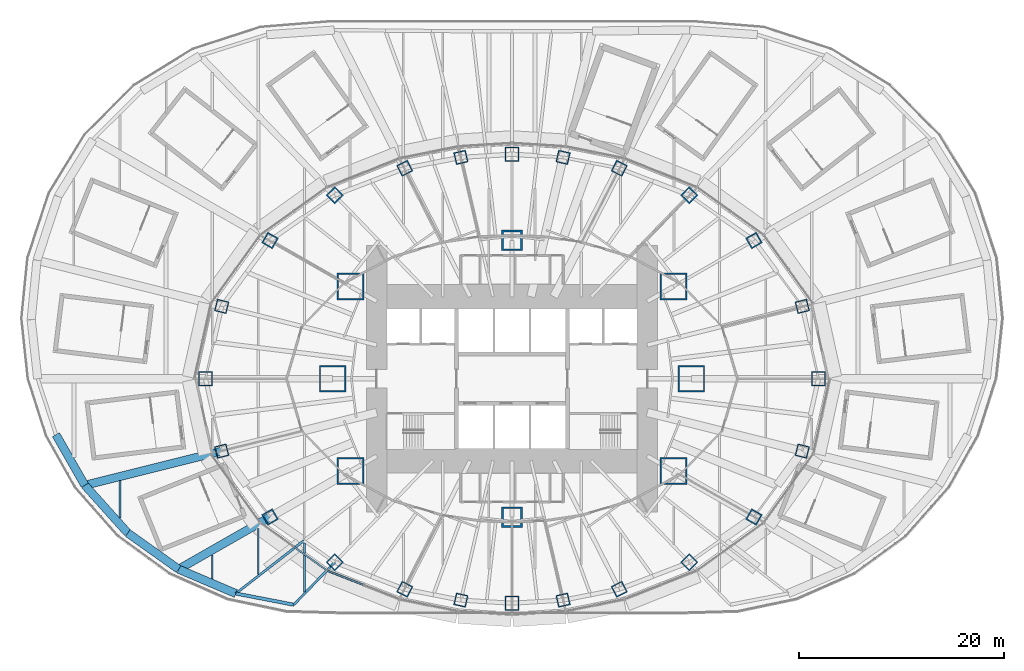
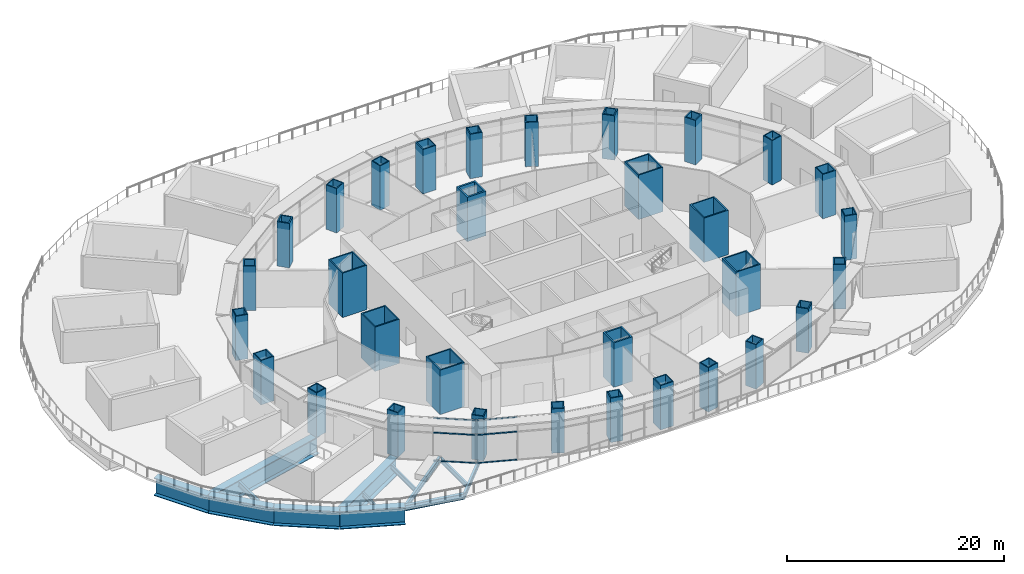
# One storey, part 1 of 25: 32 columns, 13 beams, 6 members, 2 elements without a shape of their own.
"""IFC4 building model written with IfcOpenShell, lengths in metres."""

from ifc_helpers import new_model, si_unit, direction, frame, origin, origin_2d, place, context, subcontext, project, spatial, rectangle, hollow_rectangle, i_section, extrude, material, material_profile, profile_set, type_object, element, aggregate, save


model = new_model("IFC4")

# Units and contexts
model_context = context("Model", 3, precision=1e-05, world=origin(), true_north=direction((0.0, 1.0)))
body_context = subcontext(model_context, "Body", "Model", "MODEL_VIEW")
ifc_project = project(units=[si_unit("LENGTHUNIT", "METRE"), si_unit("AREAUNIT", "SQUARE_METRE"), si_unit("VOLUMEUNIT", "CUBIC_METRE"), si_unit("PLANEANGLEUNIT", "RADIAN"), si_unit("MASSUNIT", "GRAM", prefix="KILO")], contexts=[model_context])

# Site, building, storey
site_placement = place(None, origin())
site = spatial("IfcSite", under=ifc_project, at=site_placement, CompositionType="ELEMENT")
building_placement = place(site_placement, origin())
building = spatial("IfcBuilding", under=site, at=building_placement, Name="Lantaw Convention Tower", CompositionType="ELEMENT")
storey_placement = place(building_placement, frame((0.0, 0.0, 32.0)))
storey = spatial("IfcBuildingStorey", under=building, at=storey_placement, Name="L05", CompositionType="ELEMENT", Elevation=32.0)

# Columns
ifc_material_1 = material(Name="Steel EN 10025-3 S460N", Category="steel")
ifc_material_profile_1 = material_profile(ifc_material_1, hollow_rectangle(XDim=2.0, YDim=2.0, WallThickness=0.169921875, at=origin_2d()), Name="BOX2000X170")
ifc_material_2 = material(Name="Concrete C60/75", Category="concrete")
ifc_material_profile_2 = material_profile(ifc_material_2, rectangle(XDim=1.659912109375, YDim=1.659912109375, at=origin_2d()), Name="Concrete fill of BOX2000X170")
ifc_profile_set_1 = profile_set([ifc_material_profile_1, ifc_material_profile_2], Name="Steel EN 10025-3 S460N")
column_type_1 = type_object("IfcColumnType", Name="Column MC BOX2000X170", PredefinedType="COLUMN", material=ifc_profile_set_1)
for number, where, z_axis, x_axis, name in (
    (1, (0.0, 13.5, 0.0), (0.0, 0.0, 1.0), (1.0, 0.0, 0.0), "Mega column M3"),
    (2, (0.0, -13.5, 0.0), (0.0, 0.0, 1.0), (1.0, 0.0, 0.0), "Mega column M7"),
):
    element("IfcColumn", number, at=place(storey_placement, frame(where, z_axis=z_axis, x_axis=x_axis)), inside=storey, type_object=column_type_1, Name=name, PredefinedType="COLUMN", context=body_context, shape_type="SweptSolid", body=[
        extrude(hollow_rectangle(XDim=2.0, YDim=2.0, WallThickness=0.169921875, at=origin_2d()), origin(), (0.0, 0.0, 1.0), 5.0),
    ])
ifc_material_profile_3 = material_profile(ifc_material_1, hollow_rectangle(XDim=2.60009765625, YDim=2.60009765625, WallThickness=0.1298828125, at=origin_2d()), Name="BOX2600X130")
ifc_material_profile_4 = material_profile(ifc_material_2, rectangle(XDim=2.340087890625, YDim=2.340087890625, at=origin_2d()), Name="Concrete fill of BOX2600X130")
ifc_profile_set_2 = profile_set([ifc_material_profile_3, ifc_material_profile_4], Name="Steel EN 10025-3 S460N")
column_type_2 = type_object("IfcColumnType", Name="Column MC BOX2600X130", PredefinedType="COLUMN", material=ifc_profile_set_2)
for number, where, z_axis, x_axis, name in (
    (3, (17.5, 0.0, 0.0), (0.0, 0.0, 1.0), (1.0, 0.0, 0.0), "Mega column M1"),
    (4, (15.75, 9.0, 0.0), (0.0, 0.0, 1.0), (1.0, 0.0, 0.0), "Mega column M2"),
    (5, (-15.75, 9.0, 0.0), (0.0, 0.0, 1.0), (1.0, 0.0, 0.0), "Mega column M4"),
    (6, (-17.5, 0.0, 0.0), (0.0, 0.0, 1.0), (1.0, 0.0, 0.0), "Mega column M5"),
    (7, (-15.75, -9.0, 0.0), (0.0, 0.0, 1.0), (1.0, 0.0, 0.0), "Mega column M6"),
    (8, (15.75, -9.0, 0.0), (0.0, 0.0, 1.0), (1.0, 0.0, 0.0), "Mega column M8"),
):
    element("IfcColumn", number, at=place(storey_placement, frame(where, z_axis=z_axis, x_axis=x_axis)), inside=storey, type_object=column_type_2, Name=name, PredefinedType="COLUMN", context=body_context, shape_type="SweptSolid", body=[
        extrude(hollow_rectangle(XDim=2.60009765625, YDim=2.60009765625, WallThickness=0.1298828125, at=origin_2d()), origin(), (0.0, 0.0, 1.0), 5.0),
    ])
ifc_material_profile_5 = material_profile(ifc_material_1, hollow_rectangle(XDim=1.199951171875, YDim=1.199951171875, WallThickness=0.10009765625, at=origin_2d()), Name="BOX1200X100")
ifc_material_profile_6 = material_profile(ifc_material_2, rectangle(XDim=1.0, YDim=1.0, at=origin_2d()), Name="Concrete fill of BOX1200X100")
ifc_profile_set_3 = profile_set([ifc_material_profile_5, ifc_material_profile_6], Name="Steel EN 10025-3 S460N")
column_type_3 = type_object("IfcColumnType", Name="Column PC BOX1200X100", PredefinedType="COLUMN", material=ifc_profile_set_3)
for number, where, z_axis, x_axis, name in (
    (9, (28.31787109375, 7.060302734375, 0.0), (0.0, 0.0, 1.0), (0.970295726276, 0.2419218956, 0.0), "Perimeter column P2"),
    (10, (10.462646484375, 20.533935546875, 0.0), (0.0, 0.0, 1.0), (0.45399049974, 0.891006524188, 0.0), "Perimeter column P5"),
    (11, (4.986328125, 21.59814453125, 0.0), (0.0, 0.0, 1.0), (0.224951054344, 0.974370064785, 0.0), "Perimeter column P6"),
    (12, (-4.986328125, 21.59814453125, 0.0), (0.0, 0.0, 1.0), (0.974370064785, 0.224951054344, 0.0), "Perimeter column P8"),
    (13, (-10.462646484375, 20.533935546875, 0.0), (0.0, 0.0, 1.0), (0.891006524188, 0.45399049974, 0.0), "Perimeter column P9"),
    (14, (-28.31787109375, 7.060302734375, 0.0), (0.0, 0.0, 1.0), (0.2419218956, 0.970295726276, 0.0), "Perimeter column P12"),
    (15, (-28.31787109375, -7.060302734375, 0.0), (0.0, 0.0, 1.0), (0.970295726276, 0.2419218956, 0.0), "Perimeter column P14"),
    (16, (-17.290771484375, -17.9052734375, 0.0), (0.0, 0.0, 1.0), (0.694658370459, 0.719339800339, 0.0), "Perimeter column P16"),
    (17, (-10.462646484375, -20.533935546875, 0.0), (0.0, 0.0, 1.0), (0.45399049974, 0.891006524188, 0.0), "Perimeter column P17"),
    (18, (-4.986328125, -21.59814453125, 0.0), (0.0, 0.0, 1.0), (0.224951054344, 0.974370064785, 0.0), "Perimeter column P18"),
    (19, (4.986328125, -21.59814453125, 0.0), (0.0, 0.0, 1.0), (0.974370064785, 0.224951054344, 0.0), "Perimeter column P20"),
    (20, (10.462646484375, -20.533935546875, 0.0), (0.0, 0.0, 1.0), (0.891006524188, 0.45399049974, 0.0), "Perimeter column P21"),
    (21, (17.290771484375, -17.9052734375, 0.0), (0.0, 0.0, 1.0), (0.719339800339, 0.694658370459, 0.0), "Perimeter column P22"),
    (22, (28.31787109375, -7.060302734375, 0.0), (0.0, 0.0, 1.0), (0.2419218956, 0.970295726276, 0.0), "Perimeter column P24"),
):
    element("IfcColumn", number, at=place(storey_placement, frame(where, z_axis=z_axis, x_axis=x_axis)), inside=storey, type_object=column_type_3, Name=name, PredefinedType="COLUMN", context=body_context, shape_type="SweptSolid", body=[
        extrude(hollow_rectangle(XDim=1.199951171875, YDim=1.199951171875, WallThickness=0.10009765625, at=origin_2d()), origin(), (0.0, 0.0, 1.0), 5.0),
    ])
ifc_material_profile_7 = material_profile(ifc_material_1, hollow_rectangle(XDim=1.199951171875, YDim=1.199951171875, WallThickness=0.1201171875, at=origin_2d()), Name="BOX1200X120")
ifc_material_profile_8 = material_profile(ifc_material_2, rectangle(XDim=0.9599609375, YDim=0.9599609375, at=origin_2d()), Name="Concrete fill of BOX1200X120")
ifc_profile_set_4 = profile_set([ifc_material_profile_7, ifc_material_profile_8], Name="Steel EN 10025-3 S460N")
column_type_4 = type_object("IfcColumnType", Name="Column PC BOX1200X120", PredefinedType="COLUMN", material=ifc_profile_set_4)
for number, where, z_axis, x_axis, name in (
    (23, (23.60498046875, 13.488525390625, 0.0), (0.0, 0.0, 1.0), (0.86824298017, 0.496139221777, 0.0), "Perimeter column P3"),
    (24, (17.290771484375, 17.9052734375, 0.0), (0.0, 0.0, 1.0), (0.694658370459, 0.719339800339, 0.0), "Perimeter column P4"),
    (25, (-17.290771484375, 17.9052734375, 0.0), (0.0, 0.0, 1.0), (0.719339800339, 0.694658370459, 0.0), "Perimeter column P10"),
    (26, (-23.60498046875, 13.488525390625, 0.0), (0.0, 0.0, 1.0), (0.496139221777, 0.86824298017, 0.0), "Perimeter column P11"),
    (27, (-23.60498046875, -13.488525390625, 0.0), (0.0, 0.0, 1.0), (0.86824298017, 0.496139221777, 0.0), "Perimeter column P15"),
    (28, (23.60498046875, -13.488525390625, 0.0), (0.0, 0.0, 1.0), (0.496139221777, 0.86824298017, 0.0), "Perimeter column P23"),
):
    element("IfcColumn", number, at=place(storey_placement, frame(where, z_axis=z_axis, x_axis=x_axis)), inside=storey, type_object=column_type_4, Name=name, PredefinedType="COLUMN", context=body_context, shape_type="SweptSolid", body=[
        extrude(hollow_rectangle(XDim=1.199951171875, YDim=1.199951171875, WallThickness=0.1201171875, at=origin_2d()), origin(), (0.0, 0.0, 1.0), 5.0),
    ])
ifc_material_profile_9 = material_profile(ifc_material_1, hollow_rectangle(XDim=1.39990234375, YDim=1.39990234375, WallThickness=0.10009765625, at=origin_2d()), Name="BOX1400X100")
ifc_material_profile_10 = material_profile(ifc_material_2, rectangle(XDim=1.199951171875, YDim=1.199951171875, at=origin_2d()), Name="Concrete fill of BOX1400X100")
ifc_profile_set_5 = profile_set([ifc_material_profile_9, ifc_material_profile_10], Name="Steel EN 10025-3 S460N")
column_type_5 = type_object("IfcColumnType", Name="Column PC BOX1400X100", PredefinedType="COLUMN", material=ifc_profile_set_5)
for number, where, z_axis, x_axis, name in (
    (29, (29.89990234375, 0.0, 0.0), (0.0, 0.0, 1.0), (1.0, 0.0, 0.0), "Perimeter column P1"),
    (30, (0.0, 21.89990234375, 0.0), (0.0, 0.0, 1.0), (1.0, 0.0, 0.0), "Perimeter column P7"),
    (31, (-29.89990234375, 0.0, 0.0), (0.0, 0.0, 1.0), (1.0, 0.0, 0.0), "Perimeter column P13"),
    (32, (0.0, -21.89990234375, 0.0), (0.0, 0.0, 1.0), (1.0, 0.0, 0.0), "Perimeter column P19"),
):
    element("IfcColumn", number, at=place(storey_placement, frame(where, z_axis=z_axis, x_axis=x_axis)), inside=storey, type_object=column_type_5, Name=name, PredefinedType="COLUMN", context=body_context, shape_type="SweptSolid", body=[
        extrude(hollow_rectangle(XDim=1.39990234375, YDim=1.39990234375, WallThickness=0.10009765625, at=origin_2d()), origin(), (0.0, 0.0, 1.0), 5.0),
    ])

# Beams
ifc_material_3 = material(Name="Steel ASTM A572 Grade 50", Category="steel")
ifc_material_profile_11 = material_profile(ifc_material_3, i_section(OverallWidth=0.800048828125, OverallDepth=2.0, WebThickness=0.030029296875, FlangeThickness=0.080078125, at=origin_2d()), Name="PG2000X800X30X80")
ifc_profile_set_6 = profile_set([ifc_material_profile_11], Name="Steel ASTM A572 Grade 50")
beam_type_1 = type_object("IfcBeamType", Name="Beam E PG2000X800X30X80", PredefinedType="SPANDREL", material=ifc_profile_set_6)
beam_1_placement = place(storey_placement, frame((-44.488525390625, -5.46240234375, -1.199951171875), z_axis=(0.496180629465, -0.868219317306, 0.0), x_axis=(0.868219317306, 0.496180629465, 0.0)))
element("IfcBeam", 33, at=beam_1_placement, inside=storey, type_object=beam_type_1, Name="Podium edge beam B12", PredefinedType="SPANDREL", context=body_context, shape_type="SweptSolid", body=[
    extrude(i_section(OverallWidth=0.800048828125, OverallDepth=2.0, WebThickness=0.030029296875, FlangeThickness=0.080078125, at=origin_2d()), origin(), (0.0, 0.0, 1.0), 5.67578125),
])
beam_2_placement = place(storey_placement, frame((-41.67236328125, -10.39013671875, -1.199951171875), z_axis=(0.668363614772, -0.74383471178, 0.0), x_axis=(0.74383471178, 0.668363614772, 0.0)))
element("IfcBeam", 34, at=beam_2_placement, inside=storey, type_object=beam_type_1, Name="Podium edge beam R13", PredefinedType="SPANDREL", context=body_context, shape_type="SweptSolid", body=[
    extrude(i_section(OverallWidth=0.800048828125, OverallDepth=2.0, WebThickness=0.030029296875, FlangeThickness=0.080078125, at=origin_2d()), origin(), (0.0, 0.0, 1.0), 6.2626953125),
])
beam_3_placement = place(storey_placement, frame((-37.486572265625, -15.048583984375, -1.199951171875), z_axis=(0.814722795246, -0.579850641895, 0.0), x_axis=(0.579850641895, 0.814722795246, 0.0)))
element("IfcBeam", 35, at=beam_3_placement, inside=storey, type_object=beam_type_1, Name="Podium edge beam B13", PredefinedType="SPANDREL", context=body_context, shape_type="SweptSolid", body=[
    extrude(i_section(OverallWidth=0.800048828125, OverallDepth=2.0, WebThickness=0.030029296875, FlangeThickness=0.080078125, at=origin_2d()), origin(), (0.0, 0.0, 1.0), 6.095458984375),
])
beam_4_placement = place(storey_placement, frame((-32.5205078125, -18.5830078125, -1.199951171875), z_axis=(0.920324392734, -0.391155994636, 0.0), x_axis=(0.391155994636, 0.920324392734, 0.0)))
element("IfcBeam", 36, at=beam_4_placement, inside=storey, type_object=beam_type_1, Name="Podium edge beam R14", PredefinedType="SPANDREL", context=body_context, shape_type="SweptSolid", body=[
    extrude(i_section(OverallWidth=0.800048828125, OverallDepth=2.0, WebThickness=0.030029296875, FlangeThickness=0.080078125, at=origin_2d()), origin(), (0.0, 0.0, 1.0), 6.060546875),
])
ifc_material_4 = material(Name="Steel ASTM A992", Category="steel")
ifc_material_profile_12 = material_profile(ifc_material_4, i_section(OverallWidth=0.3251953125, OverallDepth=0.612060546875, WebThickness=0.0126953125, FlangeThickness=0.01904296875, FilletRadius=0.0126953125, at=origin_2d()), Name="W24X104")
ifc_profile_set_7 = profile_set([ifc_material_profile_12], Name="Steel ASTM A992")
beam_type_2 = type_object("IfcBeamType", Name="Beam E W24X104", PredefinedType="SPANDREL", material=ifc_profile_set_7)
beam_5_placement = place(storey_placement, frame((-26.94287109375, -20.95361328125, -0.506103515625), z_axis=(0.981786485539, -0.18998762279, 0.0), x_axis=(0.18998762279, 0.981786485539, 0.0)))
element("IfcBeam", 37, at=beam_5_placement, inside=storey, type_object=beam_type_2, Name="Podium edge beam B14", PredefinedType="SPANDREL", context=body_context, shape_type="SweptSolid", body=[
    extrude(i_section(OverallWidth=0.3251953125, OverallDepth=0.612060546875, WebThickness=0.0126953125, FlangeThickness=0.01904296875, FilletRadius=0.0126953125, at=origin_2d()), origin(), (0.0, 0.0, 1.0), 5.7568359375),
])
ifc_material_profile_13 = material_profile(ifc_material_4, i_section(OverallWidth=0.1650390625, OverallDepth=0.52587890625, WebThickness=0.0087890625, FlangeThickness=0.011474609375, FilletRadius=0.0126953125, at=origin_2d()), Name="W21X44")
ifc_profile_set_8 = profile_set([ifc_material_profile_13], Name="Steel ASTM A992")
beam_type_3 = type_object("IfcBeamType", Name="Beam J W21X44", PredefinedType="JOIST", material=ifc_profile_set_8)
beam_6_placement = place(storey_placement, frame((-29.25, -19.53857421875, -0.462890625), z_axis=(0.0, 1.0, 0.0), x_axis=(-1.0, 0.0, 0.0)))
element("IfcBeam", 38, at=beam_6_placement, inside=storey, type_object=beam_type_3, Name="Floor joist", PredefinedType="JOIST", context=body_context, shape_type="SweptSolid", body=[
    extrude(i_section(OverallWidth=0.1650390625, OverallDepth=0.52587890625, WebThickness=0.0087890625, FlangeThickness=0.011474609375, FilletRadius=0.0126953125, at=origin_2d()), origin(), (0.0, 0.0, 1.0), 2.363525390625),
])
beam_7_placement = place(storey_placement, frame((-24.75, -19.103271484375, -0.462890625), z_axis=(0.0, 1.0, 0.0), x_axis=(-1.0, 0.0, 0.0)))
element("IfcBeam", 39, at=beam_7_placement, inside=storey, type_object=beam_type_3, Name="Floor joist", PredefinedType="JOIST", context=body_context, shape_type="SweptSolid", body=[
    extrude(i_section(OverallWidth=0.1650390625, OverallDepth=0.52587890625, WebThickness=0.0087890625, FlangeThickness=0.011474609375, FilletRadius=0.0126953125, at=origin_2d()), origin(), (0.0, 0.0, 1.0), 4.499755859375),
])
ifc_material_profile_14 = material_profile(ifc_material_4, i_section(OverallWidth=0.209228515625, OverallDepth=0.533447265625, WebThickness=0.01025390625, FlangeThickness=0.015625, FilletRadius=0.012939453125, at=origin_2d()), Name="W21X62")
ifc_profile_set_9 = profile_set([ifc_material_profile_14], Name="Steel ASTM A992")
beam_type_4 = type_object("IfcBeamType", Name="Beam J W21X62", PredefinedType="JOIST", material=ifc_profile_set_9)
beam_8_placement = place(storey_placement, frame((-20.25, -20.805419921875, -0.466796875), z_axis=(0.0, 1.0, 0.0), x_axis=(-1.0, 0.0, 0.0)))
element("IfcBeam", 40, at=beam_8_placement, inside=storey, type_object=beam_type_4, Name="Floor joist", PredefinedType="JOIST", context=body_context, shape_type="SweptSolid", body=[
    extrude(i_section(OverallWidth=0.209228515625, OverallDepth=0.533447265625, WebThickness=0.01025390625, FlangeThickness=0.015625, FilletRadius=0.012939453125, at=origin_2d()), origin(), (0.0, 0.0, 1.0), 4.799560546875),
])
ifc_material_profile_15 = material_profile(ifc_material_4, i_section(OverallWidth=0.22900390625, OverallDepth=0.612060546875, WebThickness=0.011962890625, FlangeThickness=0.01953125, FilletRadius=0.0126953125, at=origin_2d()), Name="W24X84")
ifc_profile_set_10 = profile_set([ifc_material_profile_15], Name="Steel ASTM A992")
beam_type_5 = type_object("IfcBeamType", Name="Beam J W24X84", PredefinedType="JOIST", material=ifc_profile_set_10)
beam_9_placement = place(storey_placement, frame((-38.25, -13.600341796875, -0.506103515625), z_axis=(0.0, 1.0, 0.0), x_axis=(-1.0, 0.0, 0.0)))
element("IfcBeam", 41, at=beam_9_placement, inside=storey, type_object=beam_type_5, Name="Floor joist", PredefinedType="JOIST", context=body_context, shape_type="SweptSolid", body=[
    extrude(i_section(OverallWidth=0.22900390625, OverallDepth=0.612060546875, WebThickness=0.011962890625, FlangeThickness=0.01953125, FilletRadius=0.0126953125, at=origin_2d()), origin(), (0.0, 0.0, 1.0), 3.6513671875),
])
ifc_material_profile_16 = material_profile(ifc_material_3, i_section(OverallWidth=0.800048828125, OverallDepth=2.0, WebThickness=0.030029296875, FlangeThickness=0.080078125, at=origin_2d()), Name="PG2000X800X30X80")
ifc_profile_set_11 = profile_set([ifc_material_profile_16], Name="Steel ASTM A572 Grade 50")
beam_type_6 = type_object("IfcBeamType", Name="Beam PG PG2000X800X30X80", PredefinedType="BEAM", material=ifc_profile_set_11)
beam_10_placement = place(storey_placement, frame((-28.31787109375, -7.060302734375, -1.199951171875), z_axis=(-0.97029256898, -0.24193455847, 0.0), x_axis=(0.24193455847, -0.97029256898, 0.0)))
element("IfcBeam", 42, at=beam_10_placement, inside=storey, type_object=beam_type_6, Name="Podium girder PR14", PredefinedType="BEAM", context=body_context, shape_type="SweptSolid", body=[
    extrude(i_section(OverallWidth=0.800048828125, OverallDepth=2.0, WebThickness=0.030029296875, FlangeThickness=0.080078125, at=origin_2d()), origin(), (0.0, 0.0, 1.0), 13.763427734375),
])
beam_11_placement = place(storey_placement, frame((-23.60498046875, -13.488525390625, -1.199951171875), z_axis=(-0.868247531483, -0.4961312569, 0.0), x_axis=(0.4961312569, -0.868247531483, 0.0)))
element("IfcBeam", 43, at=beam_11_placement, inside=storey, type_object=beam_type_6, Name="Podium girder PR15", PredefinedType="BEAM", context=body_context, shape_type="SweptSolid", body=[
    extrude(i_section(OverallWidth=0.800048828125, OverallDepth=2.0, WebThickness=0.030029296875, FlangeThickness=0.080078125, at=origin_2d()), origin(), (0.0, 0.0, 1.0), 10.268310546875),
])
ifc_material_profile_17 = material_profile(ifc_material_4, i_section(OverallWidth=0.227783203125, OverallDepth=0.60205078125, WebThickness=0.010498046875, FlangeThickness=0.014892578125, FilletRadius=0.012939453125, at=origin_2d()), Name="W24X68")
ifc_profile_set_12 = profile_set([ifc_material_profile_17], Name="Steel ASTM A992")
beam_type_7 = type_object("IfcBeamType", Name="Beam PG W24X68", PredefinedType="BEAM", material=ifc_profile_set_12)
beam_12_placement = place(storey_placement, frame((-17.290771484375, -17.9052734375, -0.5009765625), z_axis=(-0.694661096328, -0.719337167987, 0.0), x_axis=(0.719337167987, -0.694661096328, 0.0)))
element("IfcBeam", 44, at=beam_12_placement, inside=storey, type_object=beam_type_7, Name="Podium girder PR16", PredefinedType="BEAM", context=body_context, shape_type="SweptSolid", body=[
    extrude(i_section(OverallWidth=0.227783203125, OverallDepth=0.60205078125, WebThickness=0.010498046875, FlangeThickness=0.014892578125, FilletRadius=0.012939453125, at=origin_2d()), origin(), (0.0, 0.0, 1.0), 5.75830078125),
])
ifc_material_profile_18 = material_profile(ifc_material_4, i_section(OverallWidth=0.22900390625, OverallDepth=0.612060546875, WebThickness=0.011962890625, FlangeThickness=0.01953125, FilletRadius=0.0126953125, at=origin_2d()), Name="W24X84")
ifc_profile_set_13 = profile_set([ifc_material_profile_18], Name="Steel ASTM A992")
beam_type_8 = type_object("IfcBeamType", Name="Beam PG W24X84", PredefinedType="BEAM", material=ifc_profile_set_13)
beam_13_placement = place(storey_placement, frame((-20.30859375, -15.794189453125, -0.506103515625), z_axis=(-0.789385064276, -0.613898379456, 0.0), x_axis=(0.613898379456, -0.789385064276, 0.0)))
element("IfcBeam", 45, at=beam_13_placement, inside=storey, type_object=beam_type_8, Name="Podium girder PB15", PredefinedType="BEAM", context=body_context, shape_type="SweptSolid", body=[
    extrude(i_section(OverallWidth=0.22900390625, OverallDepth=0.612060546875, WebThickness=0.011962890625, FlangeThickness=0.01953125, FilletRadius=0.0126953125, at=origin_2d()), origin(), (0.0, 0.0, 1.0), 8.404296875),
])

# Curtain wall, members
ifc_material_5 = material(Name="Aluminium framed curtain wall", Category="aluminium")
curtain_wall_type = type_object("IfcCurtainWallType", Name="Sky lobby curtain wall L05, pale aluminium", PredefinedType="USERDEFINED", material=ifc_material_5)
curtain_wall_1_placement = place(storey_placement, origin())
curtain_wall_1 = element("IfcCurtainWall", 46, at=curtain_wall_1_placement, inside=storey, type_object=curtain_wall_type, Name="Sky lobby curtain wall L05, pale aluminium L05", ObjectType="STICK CURTAIN WALL", PredefinedType="USERDEFINED")
ifc_material_6 = material(Name="Aluminium 6063-T6", Category="aluminium")
ifc_material_profile_19 = material_profile(ifc_material_6, rectangle(XDim=0.179931640625, YDim=0.074951171875, at=origin_2d()), Name="CW-HL transom 75x180")
ifc_profile_set_14 = profile_set([ifc_material_profile_19], Name="Aluminium 6063-T6")
member_type = type_object("IfcMemberType", Name="CW-HL transom 75x180", PredefinedType="USERDEFINED", material=ifc_profile_set_14)
member_1_placement = place(storey_placement, frame((-21.277099609375, -16.38720703125, 0.03759765625), z_axis=(0.812799293767, -0.582543825005, 0.0), x_axis=(0.582543825005, 0.812799293767, 0.0)))
member_1 = element("IfcMember", 47, at=member_1_placement, type_object=member_type, Name="CW-HL transom 2.1", ObjectType="TRANSOM", PredefinedType="USERDEFINED", context=body_context, shape_type="SweptSolid", body=[
    extrude(rectangle(XDim=0.179931640625, YDim=0.074951171875, at=origin_2d()), origin(), (0.0, 0.0, 1.0), 3.88916015625),
])
member_2_placement = place(storey_placement, frame((-21.277099609375, -16.38720703125, 3.199951171875), z_axis=(0.812799293767, -0.582543825005, 0.0), x_axis=(0.582543825005, 0.812799293767, 0.0)))
member_2 = element("IfcMember", 48, at=member_2_placement, type_object=member_type, Name="CW-HL transom 2.2", ObjectType="TRANSOM", PredefinedType="USERDEFINED", context=body_context, shape_type="SweptSolid", body=[
    extrude(rectangle(XDim=0.179931640625, YDim=0.074951171875, at=origin_2d()), origin(), (0.0, 0.0, 1.0), 3.88916015625),
])
member_3_placement = place(storey_placement, frame((-21.277099609375, -16.38720703125, 4.8125), z_axis=(0.812799293767, -0.582543825005, 0.0), x_axis=(0.582543825005, 0.812799293767, 0.0)))
member_3 = element("IfcMember", 49, at=member_3_placement, type_object=member_type, Name="CW-HL transom 2.3", ObjectType="TRANSOM", PredefinedType="USERDEFINED", context=body_context, shape_type="SweptSolid", body=[
    extrude(rectangle(XDim=0.179931640625, YDim=0.074951171875, at=origin_2d()), origin(), (0.0, 0.0, 1.0), 3.88916015625),
])
aggregate(curtain_wall_1, [member_1, member_2, member_3])

curtain_wall_2_placement = place(storey_placement, origin())
curtain_wall_2 = element("IfcCurtainWall", 50, at=curtain_wall_2_placement, inside=storey, type_object=curtain_wall_type, Name="Sky lobby curtain wall L05, pale aluminium L05", ObjectType="STICK CURTAIN WALL", PredefinedType="USERDEFINED")
member_4_placement = place(storey_placement, frame((-17.9853515625, -18.72412109375, 0.03759765625), z_axis=(0.929374081901, -0.369139290634, 0.0), x_axis=(0.369139290634, 0.929374081901, 0.0)))
member_4 = element("IfcMember", 51, at=member_4_placement, type_object=member_type, Name="CW-HL transom 1.1", ObjectType="TRANSOM", PredefinedType="USERDEFINED", context=body_context, shape_type="SweptSolid", body=[
    extrude(rectangle(XDim=0.179931640625, YDim=0.074951171875, at=origin_2d()), origin(), (0.0, 0.0, 1.0), 3.70361328125),
])
member_5_placement = place(storey_placement, frame((-17.9853515625, -18.72412109375, 3.199951171875), z_axis=(0.929374081901, -0.369139290634, 0.0), x_axis=(0.369139290634, 0.929374081901, 0.0)))
member_5 = element("IfcMember", 52, at=member_5_placement, type_object=member_type, Name="CW-HL transom 1.2", ObjectType="TRANSOM", PredefinedType="USERDEFINED", context=body_context, shape_type="SweptSolid", body=[
    extrude(rectangle(XDim=0.179931640625, YDim=0.074951171875, at=origin_2d()), origin(), (0.0, 0.0, 1.0), 3.70361328125),
])
member_6_placement = place(storey_placement, frame((-17.9853515625, -18.72412109375, 4.8125), z_axis=(0.929374081901, -0.369139290634, 0.0), x_axis=(0.369139290634, 0.929374081901, 0.0)))
member_6 = element("IfcMember", 53, at=member_6_placement, type_object=member_type, Name="CW-HL transom 1.3", ObjectType="TRANSOM", PredefinedType="USERDEFINED", context=body_context, shape_type="SweptSolid", body=[
    extrude(rectangle(XDim=0.179931640625, YDim=0.074951171875, at=origin_2d()), origin(), (0.0, 0.0, 1.0), 3.70361328125),
])
aggregate(curtain_wall_2, [member_4, member_5, member_6])

save(model, "model.ifc")
